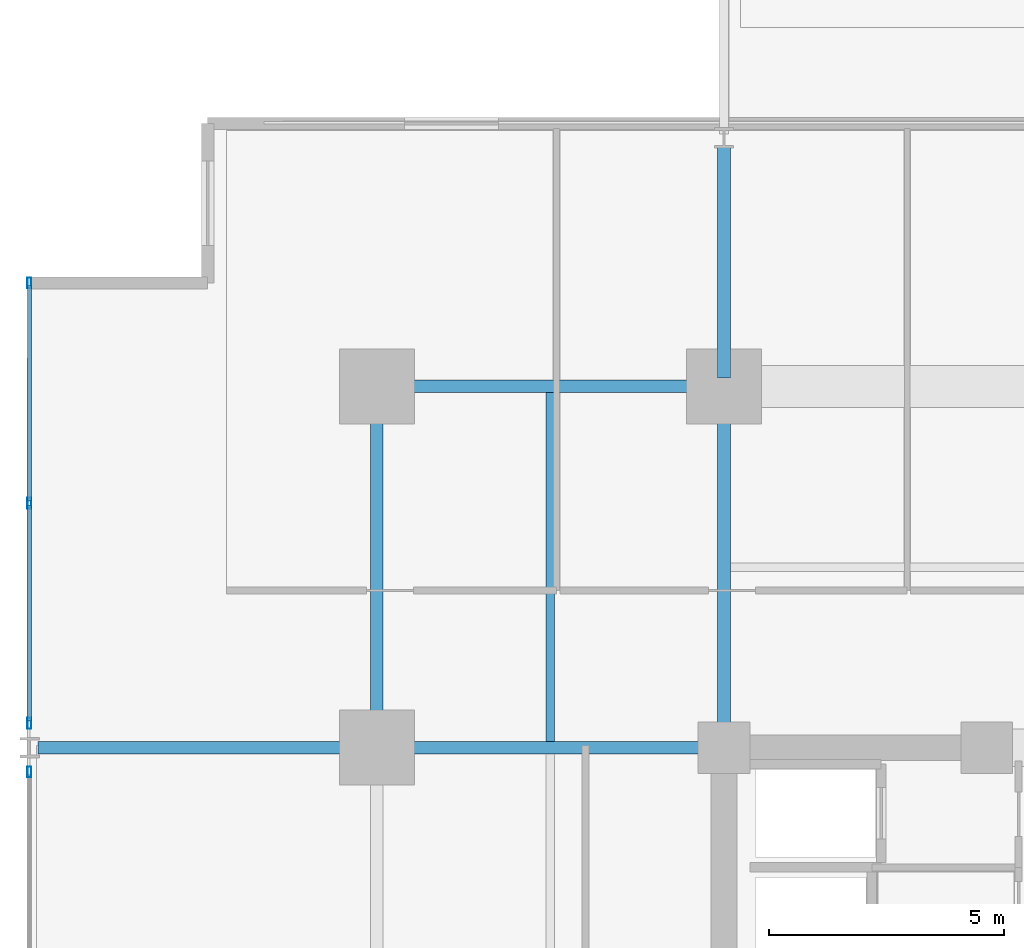
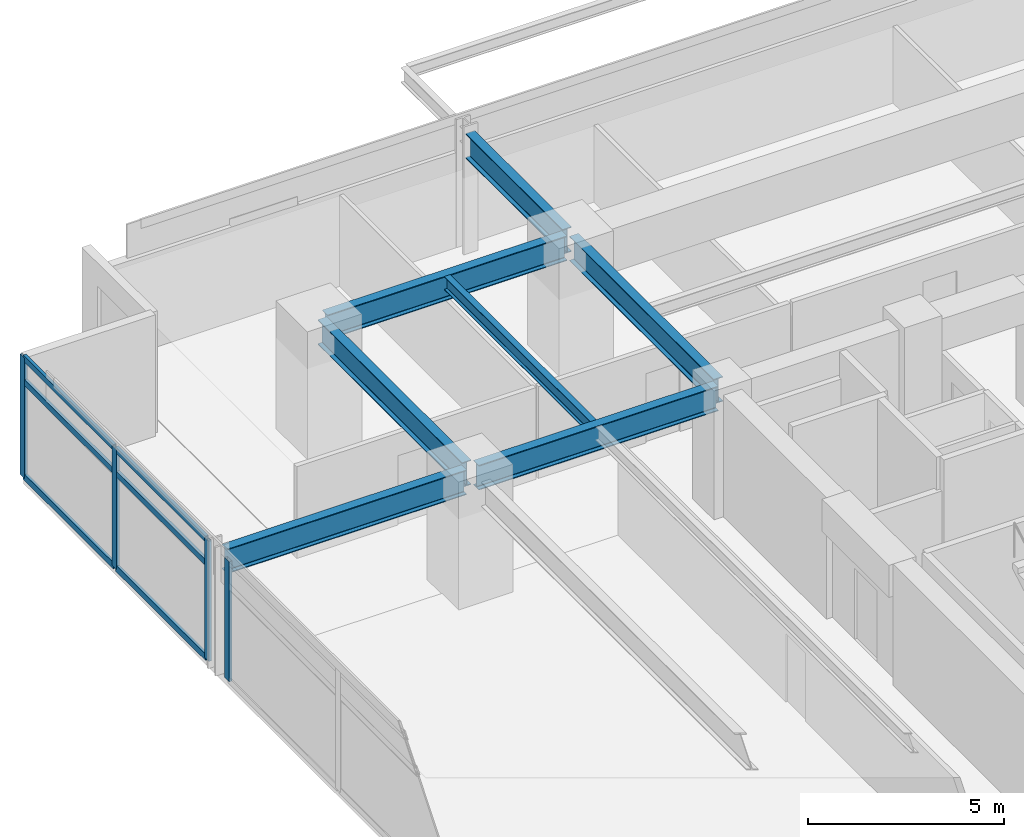
# One storey, part 11 of 23: 10 members, 7 beams, 2 elements without a shape of their own.
"""IFC4 building model written with IfcOpenShell, lengths in metres."""

from ifc_helpers import new_model, si_unit, direction, frame, origin, origin_2d, place, context, subcontext, project, spatial, hollow_rectangle, i_section, extrude, material, material_profile, profile_set, type_object, element, aggregate, save


model = new_model("IFC4")

# Units and contexts
model_context = context("Model", 3, precision=1e-05, world=origin(), true_north=direction((0.0, 1.0)))
body_context = subcontext(model_context, "Body", "Model", "MODEL_VIEW")
ifc_project = project(units=[si_unit("LENGTHUNIT", "METRE"), si_unit("AREAUNIT", "SQUARE_METRE"), si_unit("VOLUMEUNIT", "CUBIC_METRE"), si_unit("PLANEANGLEUNIT", "RADIAN"), si_unit("MASSUNIT", "GRAM", prefix="KILO")], contexts=[model_context])

# Site, building, storey
site_placement = place(None, origin())
site = spatial("IfcSite", under=ifc_project, at=site_placement, CompositionType="ELEMENT")
building_placement = place(site_placement, origin())
building = spatial("IfcBuilding", under=site, at=building_placement, Name="Kovane Verandah Tower", CompositionType="ELEMENT")
storey_placement = place(building_placement, frame((0.0, 0.0, 148.39990234375)))
storey = spatial("IfcBuildingStorey", under=building, at=storey_placement, Name="L34", CompositionType="ELEMENT", Elevation=148.39990234375)

# Beams
ifc_material_1 = material(Name="Steel S355", Category="steel")
ifc_material_profile_1 = material_profile(ifc_material_1, i_section(OverallWidth=0.26806640625, OverallDepth=0.769775390625, WebThickness=0.015625, FlangeThickness=0.025390625, FilletRadius=0.0166015625, at=origin_2d()), Name="UB762x267x197")
ifc_profile_set_1 = profile_set([ifc_material_profile_1], Name="Steel S355")
beam_type_1 = type_object("IfcBeamType", Name="BM-UB762x197", PredefinedType="BEAM", material=ifc_profile_set_1)
beam_1_placement = place(storey_placement, frame((21.780029296875, 44.199951171875, 3.39013671875), z_axis=(1.0, 0.0, 0.0), x_axis=(0.0, 1.0, 0.0)))
element("IfcBeam", 1, at=beam_1_placement, inside=storey, type_object=beam_type_1, Name="L34 Primary Tower Girder G-RN1", PredefinedType="BEAM", context=body_context, shape_type="SweptSolid", body=[
    extrude(i_section(OverallWidth=0.26806640625, OverallDepth=0.769775390625, WebThickness=0.015625, FlangeThickness=0.025390625, FilletRadius=0.0166015625, at=origin_2d()), origin(), (0.0, 0.0, 1.0), 7.0400390625),
])
beam_2_placement = place(storey_placement, frame((21.60009765625, 36.679931640625, 3.39013671875), z_axis=(0.0, 1.0, 0.0), x_axis=(-1.0, 0.0, 0.0)))
element("IfcBeam", 2, at=beam_2_placement, inside=storey, type_object=beam_type_1, Name="L34 Primary Tower Girder G-RW3", PredefinedType="BEAM", context=body_context, shape_type="SweptSolid", body=[
    extrude(i_section(OverallWidth=0.26806640625, OverallDepth=0.769775390625, WebThickness=0.015625, FlangeThickness=0.025390625, FilletRadius=0.0166015625, at=origin_2d()), origin(), (0.0, 0.0, 1.0), 7.340087890625),
])
beam_3_placement = place(storey_placement, frame((28.820068359375, 36.5, 3.39013671875), z_axis=(-1.0, 0.0, 0.0), x_axis=(0.0, -1.0, 0.0)))
element("IfcBeam", 3, at=beam_3_placement, inside=storey, type_object=beam_type_1, Name="L34 Primary Tower Girder G-W2", PredefinedType="BEAM", context=body_context, shape_type="SweptSolid", body=[
    extrude(i_section(OverallWidth=0.26806640625, OverallDepth=0.769775390625, WebThickness=0.015625, FlangeThickness=0.025390625, FilletRadius=0.0166015625, at=origin_2d()), origin(), (0.0, 0.0, 1.0), 7.0400390625),
])
beam_4_placement = place(storey_placement, frame((29.0, 36.679931640625, 3.39013671875), z_axis=(0.0, 1.0, 0.0), x_axis=(-1.0, 0.0, 0.0)))
element("IfcBeam", 4, at=beam_4_placement, inside=storey, type_object=beam_type_1, Name="L34 Primary Tower Girder G-N1", PredefinedType="BEAM", context=body_context, shape_type="SweptSolid", body=[
    extrude(i_section(OverallWidth=0.26806640625, OverallDepth=0.769775390625, WebThickness=0.015625, FlangeThickness=0.025390625, FilletRadius=0.0166015625, at=origin_2d()), origin(), (0.0, 0.0, 1.0), 7.340087890625),
])
beam_5_placement = place(storey_placement, frame((21.419921875, 36.5, 3.375244140625), z_axis=(-1.0, 0.0, 0.0), x_axis=(0.0, -1.0, 0.0)))
element("IfcBeam", 5, at=beam_5_placement, inside=storey, type_object=beam_type_1, Name="L34 Primary Tower Girder G-VW2", PredefinedType="BEAM", context=body_context, shape_type="SweptSolid", body=[
    extrude(i_section(OverallWidth=0.26806640625, OverallDepth=0.769775390625, WebThickness=0.015625, FlangeThickness=0.025390625, FilletRadius=0.0166015625, at=origin_2d()), origin(), (0.0, 0.0, 1.0), 7.0400390625),
])
beam_6_placement = place(storey_placement, frame((29.0, 44.3798828125, 3.375244140625), z_axis=(0.0, 1.0, 0.0), x_axis=(-1.0, 0.0, 0.0)))
element("IfcBeam", 6, at=beam_6_placement, inside=storey, type_object=beam_type_1, Name="L34 Primary Tower Girder G-VN1", PredefinedType="BEAM", context=body_context, shape_type="SweptSolid", body=[
    extrude(i_section(OverallWidth=0.26806640625, OverallDepth=0.769775390625, WebThickness=0.015625, FlangeThickness=0.025390625, FilletRadius=0.0166015625, at=origin_2d()), origin(), (0.0, 0.0, 1.0), 4.940185546875),
])

# Curtain wall, members
ifc_material_2 = material(Name="Champagne Anodised Aluminium Frame with Low-E Clear Laminated Glass", Category="aluminium")
curtain_wall_type = type_object("IfcCurtainWallType", Name="CW-SYS-03-MID", PredefinedType="NOTDEFINED", material=ifc_material_2)
curtain_wall_1_placement = place(storey_placement, origin())
curtain_wall_1 = element("IfcCurtainWall", 7, at=curtain_wall_1_placement, inside=storey, type_object=curtain_wall_type, Name="L34 W Unitised Curtain Wall-1", PredefinedType="NOTDEFINED")
ifc_material_3 = material(Name="Champagne Anodised Aluminium 6063-T6", Category="aluminium")
ifc_material_profile_2 = material_profile(ifc_material_3, hollow_rectangle(XDim=0.0849609375, YDim=0.22998046875, WallThickness=0.00390625, at=origin_2d()), Name="AL85x230x4")
ifc_profile_set_2 = profile_set([ifc_material_profile_2], Name="Champagne Anodised Aluminium 6063-T6")
member_type_1 = type_object("IfcMemberType", Name="CW-MUL-85x230", PredefinedType="MULLION", material=ifc_profile_set_2)
member_1_placement = place(storey_placement, frame((14.19482421875, 46.403564453125, 0.02001953125), z_axis=(0.0, 0.0, 1.0), x_axis=(-1.0, 0.0, 0.0)))
member_1 = element("IfcMember", 8, at=member_1_placement, type_object=member_type_1, Name="L34 W Unitised Curtain Wall-1 Mullion 1", PredefinedType="MULLION", context=body_context, shape_type="SweptSolid", body=[
    extrude(hollow_rectangle(XDim=0.0849609375, YDim=0.22998046875, WallThickness=0.00390625, at=origin_2d()), origin(), (0.0, 0.0, 1.0), 3.735107421875),
])
member_2_placement = place(storey_placement, frame((14.19482421875, 41.7119140625, 0.02001953125), z_axis=(0.0, 0.0, 1.0), x_axis=(-1.0, 0.0, 0.0)))
member_2 = element("IfcMember", 9, at=member_2_placement, type_object=member_type_1, Name="L34 W Unitised Curtain Wall-1 Mullion 2", PredefinedType="MULLION", context=body_context, shape_type="SweptSolid", body=[
    extrude(hollow_rectangle(XDim=0.0849609375, YDim=0.22998046875, WallThickness=0.00390625, at=origin_2d()), origin(), (0.0, 0.0, 1.0), 3.735107421875),
])
member_3_placement = place(storey_placement, frame((14.19482421875, 37.02001953125, 0.02001953125), z_axis=(0.0, 0.0, 1.0), x_axis=(-1.0, 0.0, 0.0)))
member_3 = element("IfcMember", 10, at=member_3_placement, type_object=member_type_1, Name="L34 W Unitised Curtain Wall-1 Mullion 3", PredefinedType="MULLION", context=body_context, shape_type="SweptSolid", body=[
    extrude(hollow_rectangle(XDim=0.0849609375, YDim=0.22998046875, WallThickness=0.00390625, at=origin_2d()), origin(), (0.0, 0.0, 1.0), 3.735107421875),
])

# Curtain wall, member
curtain_wall_2_placement = place(storey_placement, origin())
curtain_wall_2 = element("IfcCurtainWall", 11, at=curtain_wall_2_placement, inside=storey, type_object=curtain_wall_type, Name="L34 W Unitised Curtain Wall-2", PredefinedType="NOTDEFINED")
member_4_placement = place(storey_placement, frame((14.19482421875, 35.97998046875, 0.02001953125), z_axis=(0.0, 0.0, 1.0), x_axis=(-1.0, 0.0, 0.0)))
member_4 = element("IfcMember", 12, at=member_4_placement, type_object=member_type_1, Name="L34 W Unitised Curtain Wall-2 Mullion 1", PredefinedType="MULLION", context=body_context, shape_type="SweptSolid", body=[
    extrude(hollow_rectangle(XDim=0.0849609375, YDim=0.22998046875, WallThickness=0.00390625, at=origin_2d()), origin(), (0.0, 0.0, 1.0), 3.735107421875),
])
aggregate(curtain_wall_2, [member_4])

# Member
ifc_material_profile_3 = material_profile(ifc_material_3, hollow_rectangle(XDim=0.0849609375, YDim=0.18994140625, WallThickness=0.00390625, at=origin_2d()), Name="AL85x190x4")
ifc_profile_set_3 = profile_set([ifc_material_profile_3], Name="Champagne Anodised Aluminium 6063-T6")
member_type_2 = type_object("IfcMemberType", Name="CW-TRN-85x190", PredefinedType="USERDEFINED", material=ifc_profile_set_3)
member_5_placement = place(storey_placement, frame((14.19482421875, 46.353515625, 0.050048828125), z_axis=(0.0, -1.0, 0.0), x_axis=(1.0, 0.0, 0.0)))
member_5 = element("IfcMember", 13, at=member_5_placement, type_object=member_type_2, Name="L34 W Unitised Curtain Wall-1 Transom TB Bay 1", ObjectType="TRANSOM", PredefinedType="USERDEFINED", context=body_context, shape_type="SweptSolid", body=[
    extrude(hollow_rectangle(XDim=0.0849609375, YDim=0.18994140625, WallThickness=0.00390625, at=origin_2d()), origin(), (0.0, 0.0, 1.0), 4.591796875),
])

member_6_placement = place(storey_placement, frame((14.19482421875, 46.353515625, 2.9951171875), z_axis=(0.0, -1.0, 0.0), x_axis=(1.0, 0.0, 0.0)))
member_6 = element("IfcMember", 14, at=member_6_placement, type_object=member_type_2, Name="L34 W Unitised Curtain Wall-1 Transom TM Bay 1", ObjectType="TRANSOM", PredefinedType="USERDEFINED", context=body_context, shape_type="SweptSolid", body=[
    extrude(hollow_rectangle(XDim=0.0849609375, YDim=0.18994140625, WallThickness=0.00390625, at=origin_2d()), origin(), (0.0, 0.0, 1.0), 4.591796875),
])

member_7_placement = place(storey_placement, frame((14.19482421875, 46.353515625, 3.72509765625), z_axis=(0.0, -1.0, 0.0), x_axis=(1.0, 0.0, 0.0)))
member_7 = element("IfcMember", 15, at=member_7_placement, type_object=member_type_2, Name="L34 W Unitised Curtain Wall-1 Transom TT Bay 1", ObjectType="TRANSOM", PredefinedType="USERDEFINED", context=body_context, shape_type="SweptSolid", body=[
    extrude(hollow_rectangle(XDim=0.0849609375, YDim=0.18994140625, WallThickness=0.00390625, at=origin_2d()), origin(), (0.0, 0.0, 1.0), 4.591796875),
])

member_8_placement = place(storey_placement, frame((14.19482421875, 41.661865234375, 0.050048828125), z_axis=(0.0, -1.0, 0.0), x_axis=(1.0, 0.0, 0.0)))
member_8 = element("IfcMember", 16, at=member_8_placement, type_object=member_type_2, Name="L34 W Unitised Curtain Wall-1 Transom TB Bay 2", ObjectType="TRANSOM", PredefinedType="USERDEFINED", context=body_context, shape_type="SweptSolid", body=[
    extrude(hollow_rectangle(XDim=0.0849609375, YDim=0.18994140625, WallThickness=0.00390625, at=origin_2d()), origin(), (0.0, 0.0, 1.0), 4.591796875),
])

member_9_placement = place(storey_placement, frame((14.19482421875, 41.661865234375, 2.9951171875), z_axis=(0.0, -1.0, 0.0), x_axis=(1.0, 0.0, 0.0)))
member_9 = element("IfcMember", 17, at=member_9_placement, type_object=member_type_2, Name="L34 W Unitised Curtain Wall-1 Transom TM Bay 2", ObjectType="TRANSOM", PredefinedType="USERDEFINED", context=body_context, shape_type="SweptSolid", body=[
    extrude(hollow_rectangle(XDim=0.0849609375, YDim=0.18994140625, WallThickness=0.00390625, at=origin_2d()), origin(), (0.0, 0.0, 1.0), 4.591796875),
])

member_10_placement = place(storey_placement, frame((14.19482421875, 41.661865234375, 3.72509765625), z_axis=(0.0, -1.0, 0.0), x_axis=(1.0, 0.0, 0.0)))
member_10 = element("IfcMember", 18, at=member_10_placement, type_object=member_type_2, Name="L34 W Unitised Curtain Wall-1 Transom TT Bay 2", ObjectType="TRANSOM", PredefinedType="USERDEFINED", context=body_context, shape_type="SweptSolid", body=[
    extrude(hollow_rectangle(XDim=0.0849609375, YDim=0.18994140625, WallThickness=0.00390625, at=origin_2d()), origin(), (0.0, 0.0, 1.0), 4.591796875),
])

aggregate(curtain_wall_1, [member_1, member_2, member_3, member_5, member_6, member_7, member_8, member_9, member_10])

# Beam
ifc_material_profile_4 = material_profile(ifc_material_1, i_section(OverallWidth=0.179443359375, OverallDepth=0.412841796875, WebThickness=0.009521484375, FlangeThickness=0.01611328125, FilletRadius=0.01025390625, at=origin_2d()), Name="UB406x178x74")
ifc_profile_set_4 = profile_set([ifc_material_profile_4], Name="Steel S355")
beam_type_2 = type_object("IfcBeamType", Name="JST-UB406x74", PredefinedType="JOIST", material=ifc_profile_set_4)
beam_7_placement = place(storey_placement, frame((25.300048828125, 36.632080078125, 3.568603515625), z_axis=(0.0, 1.0, 0.0), x_axis=(-1.0, 0.0, 0.0)))
element("IfcBeam", 19, at=beam_7_placement, inside=storey, type_object=beam_type_2, Name="L34 Secondary Composite Joist J-NW1", PredefinedType="JOIST", context=body_context, shape_type="SweptSolid", body=[
    extrude(i_section(OverallWidth=0.179443359375, OverallDepth=0.412841796875, WebThickness=0.009521484375, FlangeThickness=0.01611328125, FilletRadius=0.01025390625, at=origin_2d()), origin(), (0.0, 0.0, 1.0), 7.43603515625),
])

save(model, "model.ifc")
